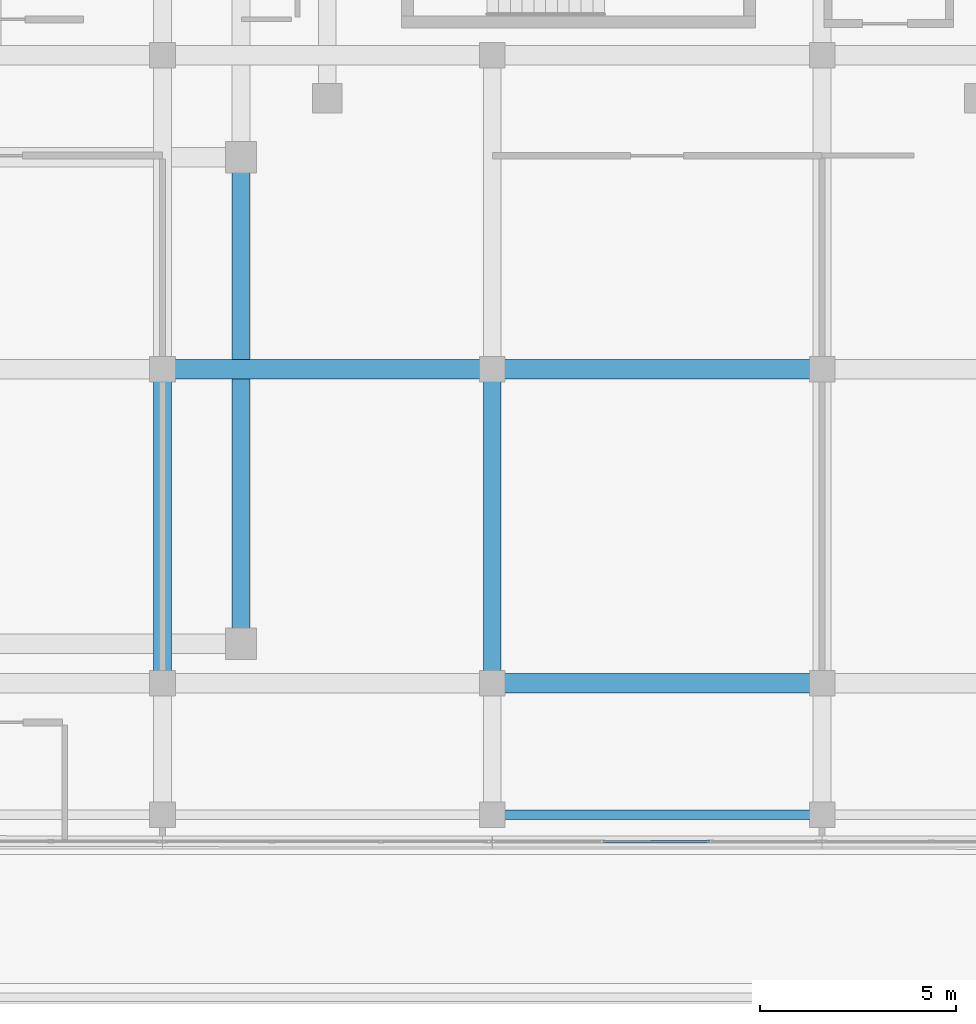
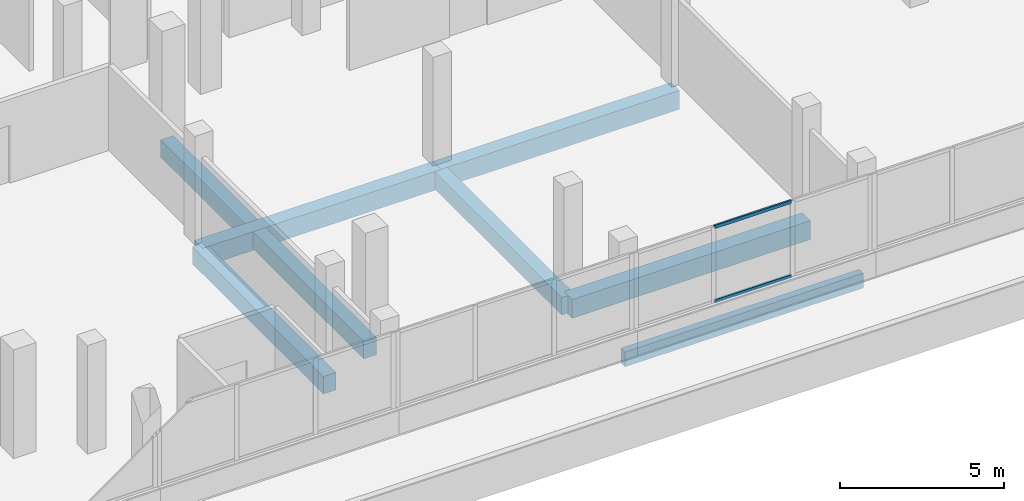
# One storey, part 14 of 78: 7 beams, 2 members, 1 element without a shape of its own.
"""IFC4 building model written with IfcOpenShell, lengths in metres."""

from ifc_helpers import new_model, si_unit, direction, frame, origin, origin_2d, place, context, subcontext, project, spatial, rectangle, hollow_rectangle, extrude, material, material_profile, profile_set, type_object, element, aggregate, save


model = new_model("IFC4")

# Units and contexts
model_context = context("Model", 3, precision=1e-05, world=origin(), true_north=direction((0.0, 1.0)))
body_context = subcontext(model_context, "Body", "Model", "MODEL_VIEW")
ifc_project = project(units=[si_unit("LENGTHUNIT", "METRE"), si_unit("AREAUNIT", "SQUARE_METRE"), si_unit("VOLUMEUNIT", "CUBIC_METRE"), si_unit("PLANEANGLEUNIT", "RADIAN"), si_unit("MASSUNIT", "GRAM", prefix="KILO")], contexts=[model_context])

# Site, building, storey
site_placement = place(None, origin())
site = spatial("IfcSite", under=ifc_project, at=site_placement, CompositionType="ELEMENT")
building_placement = place(site_placement, origin())
building = spatial("IfcBuilding", under=site, at=building_placement, Name="Selatvlak General Hospital", CompositionType="ELEMENT")
storey_placement = place(building_placement, frame((0.0, 0.0, 23.25)))
storey = spatial("IfcBuildingStorey", under=building, at=storey_placement, Name="L05", CompositionType="ELEMENT", Elevation=23.25)

# Beams
ifc_material_1 = material(Name="Concrete C40/50", Category="concrete")
ifc_material_profile_1 = material_profile(ifc_material_1, rectangle(XDim=0.5, YDim=0.699951171875, at=origin_2d()), Name="RC-BM 500x700")
ifc_profile_set_1 = profile_set([ifc_material_profile_1], Name="Concrete C40/50")
beam_type_1 = type_object("IfcBeamType", Name="BM-G03", PredefinedType="BEAM", material=ifc_profile_set_1)
for number, where, z_axis, x_axis, name in (
    (1, (90.0, 92.0, -0.6298828125), (1.0, 0.0, 0.0), (0.0, 1.0, 0.0), "Beam BMR-L05-1910"),
    (2, (81.60009765625, 100.0, -0.6298828125), (1.0, 0.0, 0.0), (0.0, 1.0, 0.0), "Beam BMR-L05-1931"),
    (3, (90.0, 100.0, -0.6298828125), (1.0, 0.0, 0.0), (0.0, 1.0, 0.0), "Beam BMR-L05-1932"),
):
    element("IfcBeam", number, at=place(storey_placement, frame(where, z_axis=z_axis, x_axis=x_axis)), inside=storey, type_object=beam_type_1, Name=name, PredefinedType="BEAM", context=body_context, shape_type="SweptSolid", body=[
        extrude(rectangle(XDim=0.5, YDim=0.699951171875, at=origin_2d()), origin(), (0.0, 0.0, 1.0), 8.39990234375),
    ])
ifc_material_profile_2 = material_profile(ifc_material_1, rectangle(XDim=0.449951171875, YDim=0.64990234375, at=origin_2d()), Name="RC-BM 450x650")
ifc_profile_set_2 = profile_set([ifc_material_profile_2], Name="Concrete C40/50")
beam_type_2 = type_object("IfcBeamType", Name="BM-G04", PredefinedType="BEAM", material=ifc_profile_set_2)
beam_1_placement = place(storey_placement, frame((81.60009765625, 92.0, -0.60498046875), z_axis=(0.0, 1.0, 0.0), x_axis=(-1.0, 0.0, 0.0)))
element("IfcBeam", 4, at=beam_1_placement, inside=storey, type_object=beam_type_2, Name="Beam BMR-L05-2022", PredefinedType="BEAM", context=body_context, shape_type="SweptSolid", body=[
    extrude(rectangle(XDim=0.449951171875, YDim=0.64990234375, at=origin_2d()), origin(), (0.0, 0.0, 1.0), 8.0),
])
beam_2_placement = place(storey_placement, frame((83.60009765625, 93.0, -0.60498046875), z_axis=(0.0, 1.0, 0.0), x_axis=(-1.0, 0.0, 0.0)))
element("IfcBeam", 5, at=beam_2_placement, inside=storey, type_object=beam_type_2, Name="Beam BMR-L05-2026", PredefinedType="BEAM", context=body_context, shape_type="SweptSolid", body=[
    extrude(rectangle(XDim=0.449951171875, YDim=0.64990234375, at=origin_2d()), origin(), (0.0, 0.0, 1.0), 12.39990234375),
])
beam_3_placement = place(storey_placement, frame((90.0, 92.0, -0.60498046875), z_axis=(0.0, 1.0, 0.0), x_axis=(-1.0, 0.0, 0.0)))
element("IfcBeam", 6, at=beam_3_placement, inside=storey, type_object=beam_type_2, Name="Beam BMR-L05-2030", PredefinedType="BEAM", context=body_context, shape_type="SweptSolid", body=[
    extrude(rectangle(XDim=0.449951171875, YDim=0.64990234375, at=origin_2d()), origin(), (0.0, 0.0, 1.0), 8.0),
])
ifc_material_profile_3 = material_profile(ifc_material_1, rectangle(XDim=0.25, YDim=0.550048828125, at=origin_2d()), Name="RC-SP 250x550")
ifc_profile_set_3 = profile_set([ifc_material_profile_3], Name="Concrete C40/50")
beam_type_3 = type_object("IfcBeamType", Name="BM-SP2", PredefinedType="SPANDREL", material=ifc_profile_set_3)
beam_4_placement = place(storey_placement, frame((90.0, 88.64990234375, -0.554931640625), z_axis=(1.0, 0.0, 0.0), x_axis=(0.0, 1.0, 0.0)))
element("IfcBeam", 7, at=beam_4_placement, inside=storey, type_object=beam_type_3, Name="Beam BMR-L05-1890", PredefinedType="SPANDREL", context=body_context, shape_type="SweptSolid", body=[
    extrude(rectangle(XDim=0.25, YDim=0.550048828125, at=origin_2d()), origin(), (0.0, 0.0, 1.0), 8.39990234375),
])

# Curtain wall, members
ifc_material_2 = material(Name="Solar-control Low-E double glazing", Category="glass")
curtain_wall_type = type_object("IfcCurtainWallType", Name="CW-CW-01", PredefinedType="USERDEFINED", material=ifc_material_2)
curtain_wall_placement = place(storey_placement, origin())
curtain_wall = element("IfcCurtainWall", 8, at=curtain_wall_placement, inside=storey, type_object=curtain_wall_type, Name="Glazed facade curtain wall CW-L05-0585", ObjectType="UNITISED CURTAIN WALL", PredefinedType="USERDEFINED")
ifc_material_3 = material(Name="Dark anodised aluminium mullion", Category="aluminium")
ifc_material_profile_4 = material_profile(ifc_material_3, hollow_rectangle(XDim=0.06494140625, YDim=0.1201171875, WallThickness=0.00390625, at=origin_2d()), Name="AL-TRN 65x120x4")
ifc_profile_set_4 = profile_set([ifc_material_profile_4], Name="Dark anodised aluminium mullion")
member_type = type_object("IfcMemberType", Name="CWT-01", PredefinedType="USERDEFINED", material=ifc_profile_set_4)
member_1_placement = place(storey_placement, frame((95.529052734375, 87.96533203125, 0.972412109375), z_axis=(-0.999999898419, 0.000450734652, 0.0), x_axis=(-0.000450734652, -0.999999898419, 0.0)))
member_1 = element("IfcMember", 9, at=member_1_placement, type_object=member_type, Name="CW-01 transom 2.1", ObjectType="TRANSOM", PredefinedType="USERDEFINED", context=body_context, shape_type="SweptSolid", body=[
    extrude(hollow_rectangle(XDim=0.06494140625, YDim=0.1201171875, WallThickness=0.00390625, at=origin_2d()), origin(), (0.0, 0.0, 1.0), 2.708251953125),
])
member_2_placement = place(storey_placement, frame((95.529052734375, 87.96533203125, 3.742431640625), z_axis=(-0.999999898419, 0.000450734652, 0.0), x_axis=(-0.000450734652, -0.999999898419, 0.0)))
member_2 = element("IfcMember", 10, at=member_2_placement, type_object=member_type, Name="CW-01 transom 2.2", ObjectType="TRANSOM", PredefinedType="USERDEFINED", context=body_context, shape_type="SweptSolid", body=[
    extrude(hollow_rectangle(XDim=0.06494140625, YDim=0.1201171875, WallThickness=0.00390625, at=origin_2d()), origin(), (0.0, 0.0, 1.0), 2.708251953125),
])
aggregate(curtain_wall, [member_1, member_2])

save(model, "model.ifc")
